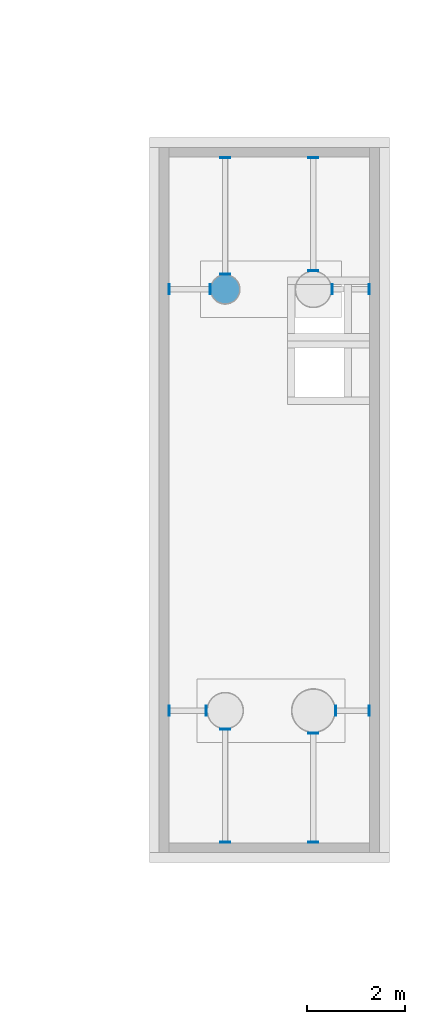
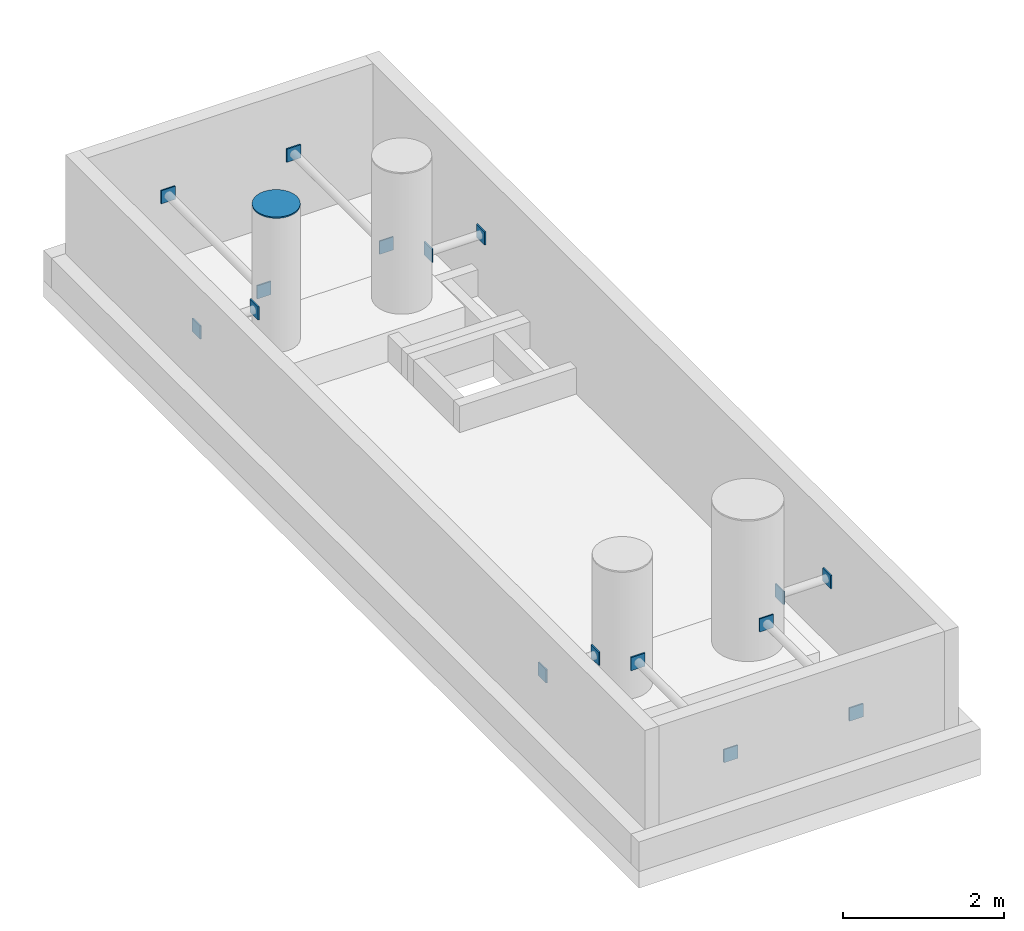
# One storey, part 20 of 22: 17 discrete accessories.
"""IFC4 building model written with IfcOpenShell, lengths in metres."""

from ifc_helpers import new_model, si_unit, direction, frame, origin, origin_2d, place, context, subcontext, project, spatial, polyline, rectangle, outline, extrude, material, type_object, element, save


model = new_model("IFC4")

# Units and contexts
model_context = context("Model", 3, precision=1e-05, world=origin(), true_north=direction((0.0, 1.0)))
body_context = subcontext(model_context, "Body", "Model", "MODEL_VIEW")
ifc_project = project(units=[si_unit("LENGTHUNIT", "METRE"), si_unit("AREAUNIT", "SQUARE_METRE"), si_unit("VOLUMEUNIT", "CUBIC_METRE"), si_unit("PLANEANGLEUNIT", "RADIAN"), si_unit("MASSUNIT", "GRAM", prefix="KILO")], contexts=[model_context])

# Site, building, storey
site_placement = place(None, origin())
site = spatial("IfcSite", under=ifc_project, at=site_placement, CompositionType="ELEMENT")
building_placement = place(site_placement, origin())
building = spatial("IfcBuilding", under=site, at=building_placement, Name="Basin Gate Institute", CompositionType="ELEMENT")
storey_placement = place(building_placement, frame((0.0, 0.0, 51.0)))
storey = spatial("IfcBuildingStorey", under=building, at=storey_placement, Name="L10", CompositionType="ELEMENT", Elevation=51.0)

# Discrete accessories
ifc_material_1 = material(Name="Structural steel SN490", Category="steel")
discrete_accessory_type_1 = type_object("IfcDiscreteAccessoryType", Name="Brace end plate BP200", PredefinedType="BRACKET", material=ifc_material_1)
for number, where, z_axis, x_axis, name in (
    (1, (115.264892578125, 63.199951171875, 1.14990234375), (0.0, 0.0, 1.0), (1.0, 0.0, 0.0), "Exhaust pipe tie TD5 EM 1a end plate 1"),
    (2, (114.510009765625, 63.199951171875, 1.14990234375), (0.0, 0.0, 1.0), (1.0, 0.0, 0.0), "Exhaust pipe tie TD5 EM 1a end plate 2"),
):
    element("IfcDiscreteAccessory", number, at=place(storey_placement, frame(where, z_axis=z_axis, x_axis=x_axis)), inside=storey, type_object=discrete_accessory_type_1, material=ifc_material_1, Name=name, PredefinedType="BRACKET", context=body_context, shape_type="SweptSolid", body=[
        extrude(rectangle(XDim=0.02001953125, YDim=0.199951171875, at=origin_2d()), origin(), (0.0, 0.0, 1.0), 0.199951171875),
    ])
for number, where, z_axis, x_axis, name in (
    (3, (115.64990234375, 62.81494140625, 1.14990234375), (0.0, 0.0, 1.0), (1.0, 0.0, 0.0), "Exhaust pipe tie TD5 EM 1b end plate 1"),
    (4, (115.64990234375, 60.510009765625, 1.14990234375), (0.0, 0.0, 1.0), (1.0, 0.0, 0.0), "Exhaust pipe tie TD5 EM 1b end plate 2"),
):
    element("IfcDiscreteAccessory", number, at=place(storey_placement, frame(where, z_axis=z_axis, x_axis=x_axis)), inside=storey, type_object=discrete_accessory_type_1, material=ifc_material_1, Name=name, PredefinedType="BRACKET", context=body_context, shape_type="SweptSolid", body=[
        extrude(rectangle(XDim=0.199951171875, YDim=0.02001953125, at=origin_2d()), origin(), (0.0, 0.0, 1.0), 0.199951171875),
    ])
for number, where, z_axis, x_axis, name in (
    (5, (117.909912109375, 63.199951171875, 1.14990234375), (0.0, 0.0, 1.0), (1.0, 0.0, 0.0), "Exhaust pipe tie TD5 EM 2a end plate 1"),
    (6, (118.590087890625, 63.199951171875, 1.14990234375), (0.0, 0.0, 1.0), (1.0, 0.0, 0.0), "Exhaust pipe tie TD5 EM 2a end plate 2"),
):
    element("IfcDiscreteAccessory", number, at=place(storey_placement, frame(where, z_axis=z_axis, x_axis=x_axis)), inside=storey, type_object=discrete_accessory_type_1, material=ifc_material_1, Name=name, PredefinedType="BRACKET", context=body_context, shape_type="SweptSolid", body=[
        extrude(rectangle(XDim=0.02001953125, YDim=0.199951171875, at=origin_2d()), origin(), (0.0, 0.0, 1.0), 0.199951171875),
    ])
for number, where, z_axis, x_axis, name in (
    (7, (117.449951171875, 62.739990234375, 1.14990234375), (0.0, 0.0, 1.0), (1.0, 0.0, 0.0), "Exhaust pipe tie TD5 EM 2b end plate 1"),
    (8, (117.449951171875, 60.510009765625, 1.14990234375), (0.0, 0.0, 1.0), (1.0, 0.0, 0.0), "Exhaust pipe tie TD5 EM 2b end plate 2"),
):
    element("IfcDiscreteAccessory", number, at=place(storey_placement, frame(where, z_axis=z_axis, x_axis=x_axis)), inside=storey, type_object=discrete_accessory_type_1, material=ifc_material_1, Name=name, PredefinedType="BRACKET", context=body_context, shape_type="SweptSolid", body=[
        extrude(rectangle(XDim=0.199951171875, YDim=0.02001953125, at=origin_2d()), origin(), (0.0, 0.0, 1.0), 0.199951171875),
    ])
for number, where, z_axis, x_axis, name in (
    (9, (115.340087890625, 71.800048828125, 1.14990234375), (0.0, 0.0, 1.0), (1.0, 0.0, 0.0), "Exhaust pipe tie TD5 EM 3a end plate 1"),
    (10, (114.510009765625, 71.800048828125, 1.14990234375), (0.0, 0.0, 1.0), (1.0, 0.0, 0.0), "Exhaust pipe tie TD5 EM 3a end plate 2"),
):
    element("IfcDiscreteAccessory", number, at=place(storey_placement, frame(where, z_axis=z_axis, x_axis=x_axis)), inside=storey, type_object=discrete_accessory_type_1, material=ifc_material_1, Name=name, PredefinedType="BRACKET", context=body_context, shape_type="SweptSolid", body=[
        extrude(rectangle(XDim=0.02001953125, YDim=0.199951171875, at=origin_2d()), origin(), (0.0, 0.0, 1.0), 0.199951171875),
    ])
for number, where, z_axis, x_axis, name in (
    (11, (115.64990234375, 72.110107421875, 1.14990234375), (0.0, 0.0, 1.0), (1.0, 0.0, 0.0), "Exhaust pipe tie TD5 EM 3b end plate 1"),
    (12, (115.64990234375, 74.489990234375, 1.14990234375), (0.0, 0.0, 1.0), (1.0, 0.0, 0.0), "Exhaust pipe tie TD5 EM 3b end plate 2"),
):
    element("IfcDiscreteAccessory", number, at=place(storey_placement, frame(where, z_axis=z_axis, x_axis=x_axis)), inside=storey, type_object=discrete_accessory_type_1, material=ifc_material_1, Name=name, PredefinedType="BRACKET", context=body_context, shape_type="SweptSolid", body=[
        extrude(rectangle(XDim=0.199951171875, YDim=0.02001953125, at=origin_2d()), origin(), (0.0, 0.0, 1.0), 0.199951171875),
    ])
for number, where, z_axis, x_axis, name in (
    (13, (117.8349609375, 71.800048828125, 1.14990234375), (0.0, 0.0, 1.0), (1.0, 0.0, 0.0), "Exhaust pipe tie TD5 EM 4a end plate 1"),
    (14, (118.590087890625, 71.800048828125, 1.14990234375), (0.0, 0.0, 1.0), (1.0, 0.0, 0.0), "Exhaust pipe tie TD5 EM 4a end plate 2"),
):
    element("IfcDiscreteAccessory", number, at=place(storey_placement, frame(where, z_axis=z_axis, x_axis=x_axis)), inside=storey, type_object=discrete_accessory_type_1, material=ifc_material_1, Name=name, PredefinedType="BRACKET", context=body_context, shape_type="SweptSolid", body=[
        extrude(rectangle(XDim=0.02001953125, YDim=0.199951171875, at=origin_2d()), origin(), (0.0, 0.0, 1.0), 0.199951171875),
    ])
for number, where, z_axis, x_axis, name in (
    (15, (117.449951171875, 72.18505859375, 1.14990234375), (0.0, 0.0, 1.0), (1.0, 0.0, 0.0), "Exhaust pipe tie TD5 EM 4b end plate 1"),
    (16, (117.449951171875, 74.489990234375, 1.14990234375), (0.0, 0.0, 1.0), (1.0, 0.0, 0.0), "Exhaust pipe tie TD5 EM 4b end plate 2"),
):
    element("IfcDiscreteAccessory", number, at=place(storey_placement, frame(where, z_axis=z_axis, x_axis=x_axis)), inside=storey, type_object=discrete_accessory_type_1, material=ifc_material_1, Name=name, PredefinedType="BRACKET", context=body_context, shape_type="SweptSolid", body=[
        extrude(rectangle(XDim=0.199951171875, YDim=0.02001953125, at=origin_2d()), origin(), (0.0, 0.0, 1.0), 0.199951171875),
    ])
ifc_material_2 = material(Name="Structural steel SN490", Category="steel")
discrete_accessory_type_2 = type_object("IfcDiscreteAccessoryType", Name="Exhaust pipe cap plate PC600", PredefinedType="BRACKET", material=ifc_material_2)
discrete_accessory_placement = place(storey_placement, frame((0.0, 0.0, 2.72998046875)))
element("IfcDiscreteAccessory", 17, at=discrete_accessory_placement, inside=storey, type_object=discrete_accessory_type_2, material=ifc_material_2, Name="Exhaust pipe EX1 EM 3 cap plate", PredefinedType="BRACKET", context=body_context, shape_type="SweptSolid", body=[
    extrude(outline(polyline([(115.949951171875, 71.800048828125), (115.944091796875, 71.8583984375), (115.92724609375, 71.914794921875), (115.8994140625, 71.966796875), (115.862060546875, 72.01220703125), (115.816650390625, 72.04931640625), (115.764892578125, 72.0771484375), (115.70849609375, 72.09423828125), (115.64990234375, 72.10009765625), (115.591552734375, 72.09423828125), (115.53515625, 72.0771484375), (115.4833984375, 72.04931640625), (115.43798828125, 72.01220703125), (115.400634765625, 71.966796875), (115.372802734375, 71.914794921875), (115.355712890625, 71.8583984375), (115.35009765625, 71.800048828125), (115.355712890625, 71.741455078125), (115.372802734375, 71.685302734375), (115.400634765625, 71.63330078125), (115.43798828125, 71.587890625), (115.4833984375, 71.550537109375), (115.53515625, 71.522705078125), (115.591552734375, 71.505859375), (115.64990234375, 71.5), (115.70849609375, 71.505859375), (115.764892578125, 71.522705078125), (115.816650390625, 71.550537109375), (115.862060546875, 71.587890625), (115.8994140625, 71.63330078125), (115.92724609375, 71.685302734375), (115.944091796875, 71.741455078125), (115.949951171875, 71.800048828125)])), origin(), (0.0, 0.0, 1.0), 0.02001953125),
])

save(model, "model.ifc")
